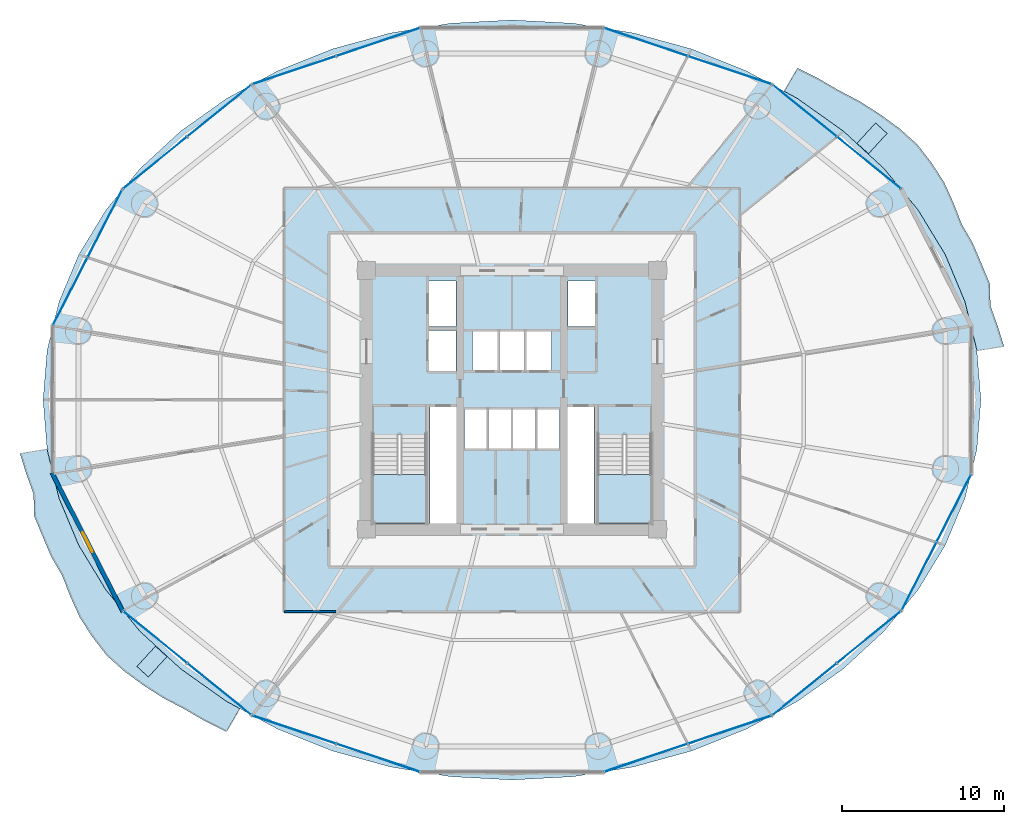
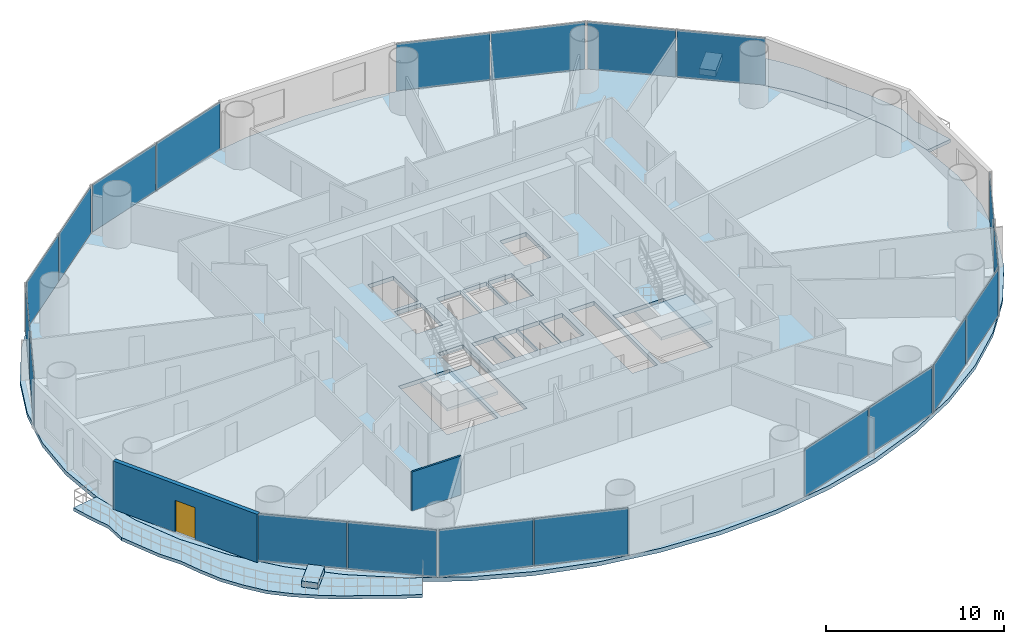
# One storey, part 20 of 28: 20 plates, 7 slabs, 2 walls, 1 door, 1 opening, 12 elements without a shape of their own.
"""IFC4 building model written with IfcOpenShell, lengths in metres."""

import ifcopenshell
import ifcopenshell.guid

model = None  # the IFC model being written
_history = None  # IfcOwnerHistory: only IFC2X3 demands one
_inside = {}  # id of a spatial element -> (the spatial element, [elements in it])
_under = {}  # id of a project, library or spatial element -> (it, [spatial elements below it])
_declared = {}  # id of a project -> (the project, [libraries it declares])
_typed = {}  # id of a type object -> (the type object, [elements of that type])
_made_of = {}  # id of a material, layer set ... -> (it, [elements and type objects made of it])


def new_model(schema):
    """Start an empty IFC model of exactly this schema.

    Asked for "IFC4X3", IfcOpenShell would pick the latest addendum, in which some entities
    have other attributes; the version numbers below select the first issue.
    IFC2X3 requires an IfcOwnerHistory on every rooted entity: one is made here for all.
    """
    global model, _history
    if schema == "IFC4X3":
        model = ifcopenshell.file(schema_version=(4, 3, 0, 0))
    else:
        model = ifcopenshell.file(schema=schema)
    _inside.clear()
    _under.clear()
    _declared.clear()
    _typed.clear()
    _made_of.clear()
    _history = None
    if model.schema == "IFC2X3":
        org = make("IfcOrganization", Name="unknown")
        user = make(
            "IfcPersonAndOrganization",
            ThePerson=make("IfcPerson", FamilyName="unknown"),
            TheOrganization=org,
        )
        app = make(
            "IfcApplication",
            ApplicationDeveloper=org,
            Version="unknown",
            ApplicationFullName="unknown",
            ApplicationIdentifier="unknown",
        )
        _history = make(
            "IfcOwnerHistory",
            OwningUser=user,
            OwningApplication=app,
            ChangeAction="ADDED",
            CreationDate=0,
        )
    return model


def make(cls, **values):
    """One entity of the class cls with the attributes given. An attribute that is None is left unset."""
    return model.create_entity(
        cls, **{name: value for name, value in values.items() if value is not None}
    )


def rooted(cls, **values):
    """An entity with a GlobalId (a new one), such as an element, a storey or a relation."""
    return make(cls, GlobalId=ifcopenshell.guid.new(), OwnerHistory=_history, **values)


def si_unit(unit_type, name, prefix=None):
    """IfcSIUnit, for example si_unit("LENGTHUNIT", "METRE", prefix="MILLI")."""
    return make("IfcSIUnit", UnitType=unit_type, Prefix=prefix, Name=name)


def assignment(units):
    """IfcUnitAssignment: the units of a project."""
    return None if units is None else make("IfcUnitAssignment", Units=units)


def point(xyz):
    """IfcCartesianPoint."""
    return None if xyz is None else make("IfcCartesianPoint", Coordinates=xyz)


def direction(xyz):
    """IfcDirection."""
    return None if xyz is None else make("IfcDirection", DirectionRatios=xyz)


def frame(location, z_axis=None, x_axis=None):
    """IfcAxis2Placement3D, a coordinate frame: its origin and axes. An axis left out is left unset."""
    return make(
        "IfcAxis2Placement3D",
        Location=point(location),
        Axis=direction(z_axis),
        RefDirection=direction(x_axis),
    )


def frame_2d(location, x_axis=None):
    """IfcAxis2Placement2D, a coordinate frame in the plane: its origin and x axis."""
    return make(
        "IfcAxis2Placement2D", Location=point(location), RefDirection=direction(x_axis)
    )


def origin():
    """The frame at (0, 0, 0) with its axes left unset."""
    return frame((0.0, 0.0, 0.0))


def origin_2d():
    """The frame at (0, 0) in the plane with its x axis left unset."""
    return frame_2d((0.0, 0.0))


def place(relative_to, where):
    """IfcLocalPlacement: puts the frame where relative to a parent placement (None: the world)."""
    return make(
        "IfcLocalPlacement", PlacementRelTo=relative_to, RelativePlacement=where
    )


def context(
    kind, dimensions, precision=None, world=None, true_north=None, identifier=None
):
    """IfcGeometricRepresentationContext, for example the 3D "Model" context."""
    return make(
        "IfcGeometricRepresentationContext",
        ContextIdentifier=identifier,
        ContextType=kind,
        CoordinateSpaceDimension=dimensions,
        Precision=precision,
        WorldCoordinateSystem=world,
        TrueNorth=true_north,
    )


def subcontext(parent, identifier, kind, view, scale=None):
    """IfcGeometricRepresentationSubContext, for example "Body" below "Model"."""
    return make(
        "IfcGeometricRepresentationSubContext",
        ContextIdentifier=identifier,
        ContextType=kind,
        ParentContext=parent,
        TargetScale=scale,
        TargetView=view,
    )


def project(units=None, contexts=None):
    """IfcProject with its units and contexts."""
    return rooted(
        "IfcProject",
        Name="project",
        RepresentationContexts=contexts,
        UnitsInContext=assignment(units),
    )


def spatial(cls, under=None, at=None, **own):
    """A site, building, storey or space (cls), placed at a placement, below another one or the project."""
    s = rooted(cls, ObjectPlacement=at, **own)
    if under is not None:
        _under.setdefault(under.id(), (under, []))[1].append(s)
    return s


def polyline(points):
    """IfcPolyline through the points."""
    return make("IfcPolyline", Points=[point(p) for p in points])


def profile(cls, at=None, kind="AREA", **sizes):
    """A parametric profile (cls). Its sizes go by their IFC names, for example OverallWidth=200.0."""
    return make(cls, ProfileType=kind, Position=at, **sizes)


def rectangle(**sizes):
    """IfcRectangleProfileDef."""
    return profile("IfcRectangleProfileDef", **sizes)


def outline(outer, holes=None, kind="AREA"):
    """IfcArbitraryClosedProfileDef: a profile drawn as a closed curve; with holes, ...WithVoids."""
    if holes is None:
        return make("IfcArbitraryClosedProfileDef", ProfileType=kind, OuterCurve=outer)
    return make(
        "IfcArbitraryProfileDefWithVoids",
        ProfileType=kind,
        OuterCurve=outer,
        InnerCurves=holes,
    )


def extrude(swept, where, along, depth):
    """IfcExtrudedAreaSolid: the profile swept, set in the frame where, extruded along a direction by depth."""
    return make(
        "IfcExtrudedAreaSolid",
        SweptArea=swept,
        Position=where,
        ExtrudedDirection=direction(along),
        Depth=depth,
    )


def shape(context_of_items, identifier, shape_type, items):
    """IfcShapeRepresentation: the items that make up one representation, for example the "Body"."""
    return make(
        "IfcShapeRepresentation",
        ContextOfItems=context_of_items,
        RepresentationIdentifier=identifier,
        RepresentationType=shape_type,
        Items=items,
    )


def source(mapping_origin, context_of_items, identifier, shape_type, items):
    """IfcRepresentationMap: a shape defined once, which mapped items show again and again."""
    return make(
        "IfcRepresentationMap",
        MappingOrigin=mapping_origin,
        MappedRepresentation=shape(context_of_items, identifier, shape_type, items),
    )


def transform(
    local_origin,
    x_axis=None,
    y_axis=None,
    z_axis=None,
    scale=None,
    scale2=None,
    scale3=None,
    uniform=True,
):
    """IfcCartesianTransformationOperator3D, or its non-uniform kind. x_axis, y_axis, z_axis: its Axis1, 2, 3."""
    if uniform:
        return make(
            "IfcCartesianTransformationOperator3D",
            Axis1=direction(x_axis),
            Axis2=direction(y_axis),
            LocalOrigin=point(local_origin),
            Scale=scale,
            Axis3=direction(z_axis),
        )
    return make(
        "IfcCartesianTransformationOperator3DnonUniform",
        Axis1=direction(x_axis),
        Axis2=direction(y_axis),
        LocalOrigin=point(local_origin),
        Scale=scale,
        Axis3=direction(z_axis),
        Scale2=scale2,
        Scale3=scale3,
    )


def mapped(mapping_source, mapping_target):
    """IfcMappedItem: shows the shape of a source again, moved by a transform."""
    return make(
        "IfcMappedItem", MappingSource=mapping_source, MappingTarget=mapping_target
    )


def material(Name=None, Category=None):
    """IfcMaterial."""
    return make("IfcMaterial", Name=Name, Category=Category)


def layer(
    of_material, thickness, ventilated=None, Name=None, Category=None, Priority=None
):
    """IfcMaterialLayer: one layer of a wall or slab, of a material (None: an air gap)."""
    return make(
        "IfcMaterialLayer",
        Material=of_material,
        LayerThickness=thickness,
        IsVentilated=ventilated,
        Name=Name,
        Category=Category,
        Priority=Priority,
    )


def layer_set(layers, Name=None):
    """IfcMaterialLayerSet."""
    return make("IfcMaterialLayerSet", MaterialLayers=layers, LayerSetName=Name)


def made_of(thing, what):
    """Note that an element or type object is made of a material, layer set ...; save() writes the relation."""
    if what is not None:
        _made_of.setdefault(what.id(), (what, []))[1].append(thing)
    return thing


def type_object(cls, material=None, **own):
    """A type object (cls), such as IfcWallType, which elements share."""
    return made_of(rooted(cls, **own), material)


def element(
    cls,
    number,
    at=None,
    inside=None,
    cuts=None,
    type_object=None,
    material=None,
    context=None,
    identifier="Body",
    shape_type=None,
    held_by="IfcProductDefinitionShape",
    body=None,
    shapes=None,
    **own,
):
    """One element of the class cls, such as IfcWall. Its Tag is "e" and its number.

    at: its placement. inside: the storey or other place that contains it. cuts: it is an
    opening in that element (IfcRelVoidsElement). A single representation is given by context,
    identifier, shape_type and body (its items); several are given by shapes. held_by: the class
    of the entity that holds the representations. save() writes the other relations.
    """
    e = rooted(cls, Tag="e%d" % number, ObjectPlacement=at, **own)
    if body is not None:
        shapes = [shape(context, identifier, shape_type, body)]
    if shapes is not None:
        e.Representation = make(held_by, Representations=shapes)
    if inside is not None:
        _inside.setdefault(inside.id(), (inside, []))[1].append(e)
    if cuts is not None:
        rooted(
            "IfcRelVoidsElement", RelatingBuildingElement=cuts, RelatedOpeningElement=e
        )
    if type_object is not None:
        _typed.setdefault(type_object.id(), (type_object, []))[1].append(e)
    return made_of(e, material)


def fill(opening, filler):
    """IfcRelFillsElement: the door or window that sits in an opening."""
    return rooted(
        "IfcRelFillsElement",
        RelatingOpeningElement=opening,
        RelatedBuildingElement=filler,
    )


def aggregate(whole, parts):
    """IfcRelAggregates: a whole, such as a stair, and the parts it consists of."""
    return rooted("IfcRelAggregates", RelatingObject=whole, RelatedObjects=parts)


def save(model, path):
    """Write the relations noted so far, then the file.

    IfcRelAggregates (storeys below a building ...), IfcRelContainedInSpatialStructure (elements
    in a storey), IfcRelDefinesByType, IfcRelAssociatesMaterial and IfcRelDeclares: one each for
    every whole, place, type object, material and project.
    """
    for whole, parts in _under.values():
        aggregate(whole, parts)
    for where, things in _inside.values():
        rooted(
            "IfcRelContainedInSpatialStructure",
            RelatedElements=things,
            RelatingStructure=where,
        )
    for kind, things in _typed.values():
        rooted("IfcRelDefinesByType", RelatedObjects=things, RelatingType=kind)
    for what, things in _made_of.values():
        rooted("IfcRelAssociatesMaterial", RelatedObjects=things, RelatingMaterial=what)
    for by, libraries in _declared.values():
        rooted("IfcRelDeclares", RelatingContext=by, RelatedDefinitions=libraries)
    model.write(path)


model = new_model("IFC4")

# Units and contexts
model_context = context("Model", 3, precision=1e-05, world=origin(), true_north=direction((-0.2419218956, 0.970295726276)))
body_context = subcontext(model_context, "Body", "Model", "MODEL_VIEW")
ifc_project = project(units=[si_unit("LENGTHUNIT", "METRE"), si_unit("AREAUNIT", "SQUARE_METRE"), si_unit("VOLUMEUNIT", "CUBIC_METRE"), si_unit("PLANEANGLEUNIT", "RADIAN"), si_unit("MASSUNIT", "GRAM", prefix="KILO")], contexts=[model_context])

# Site, building, storey
site_placement = place(None, origin())
site = spatial("IfcSite", under=ifc_project, at=site_placement, CompositionType="ELEMENT")
building_placement = place(site_placement, origin())
building = spatial("IfcBuilding", under=site, at=building_placement, Name="Cobrevalo Terracotta Tower", CompositionType="ELEMENT")
storey_placement = place(building_placement, frame((0.0, 0.0, 34.800048828125)))
storey = spatial("IfcBuildingStorey", under=building, at=storey_placement, Name="L08", CompositionType="ELEMENT", Elevation=34.800048828125)

# Stair, slab
ifc_material_1 = material(Name="Concrete C50", Category="concrete")
stair_type = type_object("IfcStairType", Name="Core protected escape dogleg stair 1600", PredefinedType="HALF_TURN_STAIR", material=ifc_material_1)
stair_1_placement = place(storey_placement, origin())
stair_1 = element("IfcStair", 1, at=stair_1_placement, inside=storey, type_object=stair_type, Name="L08 Protected exit stair ST-1", PredefinedType="HALF_TURN_STAIR")
ifc_layer_1 = layer(ifc_material_1, 0.199951171875)
ifc_layer_set_1 = layer_set([ifc_layer_1], Name="Concrete C50")
slab_type_1 = type_object("IfcSlabType", Name="Reinforced Concrete Stair Landing 200", PredefinedType="LANDING", material=ifc_layer_set_1)
slab_1_placement = place(storey_placement, frame((0.0, 0.0, 1.599853515625)))
slab_1 = element("IfcSlab", 2, at=slab_1_placement, type_object=slab_type_1, Name="ST-1 landing 1", PredefinedType="LANDING", context=body_context, shape_type="SweptSolid", body=[
    extrude(outline(polyline([(29.375, 22.179931640625), (29.375, 19.175048828125), (32.695068359375, 19.175048828125), (32.695068359375, 22.179931640625), (29.375, 22.179931640625)])), origin(), (0.0, 0.0, 1.0), 0.2001953125),
])
aggregate(stair_1, [slab_1])

stair_2_placement = place(storey_placement, origin())
stair_2 = element("IfcStair", 3, at=stair_2_placement, inside=storey, type_object=stair_type, Name="L08 Protected exit stair ST-2", PredefinedType="HALF_TURN_STAIR")
slab_2_placement = place(storey_placement, frame((0.0, 0.0, 1.599853515625)))
slab_2 = element("IfcSlab", 4, at=slab_2_placement, type_object=slab_type_1, Name="ST-2 landing 1", PredefinedType="LANDING", context=body_context, shape_type="SweptSolid", body=[
    extrude(outline(polyline([(43.304931640625, 22.179931640625), (43.304931640625, 19.175048828125), (46.625, 19.175048828125), (46.625, 22.179931640625), (43.304931640625, 22.179931640625)])), origin(), (0.0, 0.0, 1.0), 0.2001953125),
])
aggregate(stair_2, [slab_2])

# Slabs
ifc_material_2 = material(Name="Concrete C45", Category="concrete")
ifc_layer_2 = layer(ifc_material_2, 0.219970703125)
ifc_layer_set_2 = layer_set([ifc_layer_2], Name="Concrete C45")
slab_type_2 = type_object("IfcSlabType", Name="Spiralling cantilevered balcony lobe slab 220 mm", PredefinedType="FLOOR", material=ifc_layer_set_2)
slab_3_placement = place(storey_placement, frame((0.0, 0.0, -0.219970703125)))
element("IfcSlab", 5, at=slab_3_placement, inside=storey, type_object=slab_type_2, Name="L08 spiralling arc balcony slab lobe 1", PredefinedType="FLOOR", context=body_context, shape_type="SweptSolid", body=[
    extrude(outline(polyline([(68.42919921875, 30.11279296875), (68.036865234375, 31.378662109375), (67.590087890625, 32.6171875), (67.549072265625, 33.99462890625), (67.030517578125, 35.238525390625), (66.506591796875, 36.478271484375), (65.821044921875, 37.66064453125), (65.31201171875, 38.96435546875), (64.727783203125, 40.2587890625), (63.947998046875, 41.46435546875), (63.0703125, 42.600341796875), (61.984619140625, 43.57421875), (60.802001953125, 44.44189453125), (59.57080078125, 45.230712890625), (58.25439453125, 45.923583984375), (56.990478515625, 46.6591796875), (55.6689453125, 47.319580078125), (54.839111328125, 45.88720703125), (55.6552734375, 45.4453125), (58.507568359375, 43.41845703125), (61.0087890625, 41.107177734375), (63.116455078125, 38.551025390625), (64.79443359375, 35.7939453125), (66.013671875, 32.8828125), (66.75390625, 29.86767578125), (66.755859375, 29.84326171875), (68.42919921875, 30.11279296875)])), origin(), (0.0, 0.0, 1.0), 0.219970703125),
])
slab_4_placement = place(storey_placement, frame((0.0, 0.0, -0.219970703125)))
element("IfcSlab", 6, at=slab_4_placement, inside=storey, type_object=slab_type_2, Name="L08 spiralling arc balcony slab lobe 2", PredefinedType="FLOOR", context=body_context, shape_type="SweptSolid", body=[
    extrude(outline(polyline([(7.57080078125, 23.487060546875), (7.963134765625, 22.221435546875), (8.409912109375, 20.982666015625), (8.450927734375, 19.60546875), (8.969482421875, 18.361572265625), (9.493408203125, 17.121826171875), (10.178955078125, 15.939208984375), (10.68798828125, 14.635498046875), (11.272216796875, 13.341064453125), (12.052001953125, 12.135498046875), (12.9296875, 10.999755859375), (14.015380859375, 10.02587890625), (15.197998046875, 9.158203125), (16.42919921875, 8.369384765625), (17.74560546875, 7.67626953125), (19.009521484375, 6.94091796875), (20.3310546875, 6.280517578125), (21.160888671875, 7.712646484375), (20.3447265625, 8.154541015625), (17.492431640625, 10.181640625), (14.9912109375, 12.492919921875), (12.883544921875, 15.049072265625), (11.20556640625, 17.80615234375), (9.986328125, 20.71728515625), (9.24609375, 23.732421875), (9.244140625, 23.7568359375), (7.57080078125, 23.487060546875)])), origin(), (0.0, 0.0, 1.0), 0.219970703125),
])
ifc_material_3 = material(Name="Precast concrete C45", Category="concrete")
ifc_layer_3 = layer(ifc_material_3, 0.419921875)
ifc_layer_set_3 = layer_set([ifc_layer_3], Name="Precast concrete C45")
slab_type_3 = type_object("IfcSlabType", Name="Structural tree planter trough base 420 mm", PredefinedType="USERDEFINED", material=ifc_layer_set_3)
slab_5_placement = place(storey_placement, origin())
element("IfcSlab", 7, at=slab_5_placement, inside=storey, type_object=slab_type_3, Name="L08 structural tree planter trough 1", ObjectType="PLANTER", PredefinedType="USERDEFINED", context=body_context, shape_type="SweptSolid", body=[
    extrude(outline(polyline([(60.048583984375, 42.030029296875), (61.1962890625, 43.283935546875), (60.48828125, 43.93212890625), (59.34033203125, 42.67822265625), (60.048583984375, 42.030029296875)])), origin(), (0.0, 0.0, 1.0), 0.419921875),
])
slab_6_placement = place(storey_placement, origin())
element("IfcSlab", 8, at=slab_6_placement, inside=storey, type_object=slab_type_3, Name="L08 structural tree planter trough 2", ObjectType="PLANTER", PredefinedType="USERDEFINED", context=body_context, shape_type="SweptSolid", body=[
    extrude(outline(polyline([(15.951416015625, 11.570068359375), (14.8037109375, 10.316162109375), (15.51171875, 9.66796875), (16.65966796875, 10.921875), (15.951416015625, 11.570068359375)])), origin(), (0.0, 0.0, 1.0), 0.419921875),
])
ifc_layer_4 = layer(ifc_material_1, 0.280029296875)
ifc_layer_set_4 = layer_set([ifc_layer_4], Name="Concrete C50")
slab_type_4 = type_object("IfcSlabType", Name="Zone Z1 elliptical floor plate 280 mm", PredefinedType="FLOOR", material=ifc_layer_set_4)
slab_7_placement = place(storey_placement, frame((0.0, 0.0, -0.280029296875)))
element("IfcSlab", 9, at=slab_7_placement, inside=storey, type_object=slab_type_4, Name="L08 indoor elliptical floor slab", PredefinedType="FLOOR", context=body_context, shape_type="SweptSolid", body=[
    extrude(outline(polyline([(66.751953125, 23.732666015625), (66.011962890625, 20.7177734375), (64.79248046875, 17.806884765625), (63.11474609375, 15.050048828125), (61.00732421875, 12.494140625), (58.506103515625, 10.18310546875), (55.654052734375, 8.15625), (52.5, 6.448486328125), (49.097900390625, 5.0888671875), (45.505859375, 4.100830078125), (41.78515625, 3.5009765625), (38.0, 3.300048828125), (34.21484375, 3.5009765625), (30.494140625, 4.100830078125), (26.902099609375, 5.0888671875), (23.5, 6.448486328125), (20.345947265625, 8.15625), (17.493896484375, 10.18310546875), (14.99267578125, 12.494140625), (12.88525390625, 15.050048828125), (11.20751953125, 17.806884765625), (9.988037109375, 20.7177734375), (9.248046875, 23.732666015625), (9.0, 26.800048828125), (9.248046875, 29.867431640625), (9.988037109375, 32.88232421875), (11.20751953125, 35.79296875), (12.88525390625, 38.550048828125), (14.99267578125, 41.10595703125), (17.493896484375, 43.4169921875), (20.345947265625, 45.44384765625), (23.5, 47.151611328125), (26.902099609375, 48.51123046875), (30.494140625, 49.499267578125), (34.21484375, 50.098876953125), (38.0, 50.300048828125), (41.78515625, 50.098876953125), (45.505859375, 49.499267578125), (49.097900390625, 48.51123046875), (52.5, 47.151611328125), (55.654052734375, 45.44384765625), (58.506103515625, 43.4169921875), (61.00732421875, 41.10595703125), (63.11474609375, 38.550048828125), (64.79248046875, 35.79296875), (66.011962890625, 32.88232421875), (66.751953125, 29.867431640625), (67.0, 26.800048828125), (66.751953125, 23.732666015625)]), holes=[polyline([(32.695068359375, 19.175048828125), (32.695068359375, 24.659912109375), (29.375, 24.659912109375), (29.375, 19.175048828125), (32.695068359375, 19.175048828125)]), polyline([(34.574951171875, 19.175048828125), (34.574951171875, 26.360107421875), (32.919921875, 26.360107421875), (32.919921875, 19.175048828125), (34.574951171875, 19.175048828125)]), polyline([(36.47998046875, 23.800048828125), (36.47998046875, 26.25), (35.050048828125, 26.25), (35.050048828125, 23.800048828125), (36.47998046875, 23.800048828125)]), polyline([(37.9599609375, 23.800048828125), (37.9599609375, 26.25), (36.530029296875, 26.25), (36.530029296875, 23.800048828125), (37.9599609375, 23.800048828125)]), polyline([(37.1201171875, 28.60009765625), (37.1201171875, 31.050048828125), (35.550048828125, 31.050048828125), (35.550048828125, 28.60009765625), (37.1201171875, 28.60009765625)]), polyline([(34.550048828125, 28.60009765625), (34.550048828125, 31.10009765625), (32.85009765625, 31.10009765625), (32.85009765625, 28.60009765625), (34.550048828125, 28.60009765625)]), polyline([(34.550048828125, 31.35009765625), (34.550048828125, 34.14990234375), (32.85009765625, 34.14990234375), (32.85009765625, 31.35009765625), (34.550048828125, 31.35009765625)]), polyline([(46.625, 19.175048828125), (46.625, 24.659912109375), (43.304931640625, 24.659912109375), (43.304931640625, 19.175048828125), (46.625, 19.175048828125)]), polyline([(43.080078125, 19.175048828125), (43.080078125, 26.360107421875), (41.425048828125, 26.360107421875), (41.425048828125, 19.175048828125), (43.080078125, 19.175048828125)]), polyline([(39.469970703125, 23.800048828125), (39.469970703125, 26.25), (38.0400390625, 26.25), (38.0400390625, 23.800048828125), (39.469970703125, 23.800048828125)]), polyline([(40.949951171875, 23.800048828125), (40.949951171875, 26.25), (39.52001953125, 26.25), (39.52001953125, 23.800048828125), (40.949951171875, 23.800048828125)]), polyline([(38.780029296875, 28.60009765625), (38.780029296875, 31.050048828125), (37.219970703125, 31.050048828125), (37.219970703125, 28.60009765625), (38.780029296875, 28.60009765625)]), polyline([(40.449951171875, 28.60009765625), (40.449951171875, 31.050048828125), (38.8798828125, 31.050048828125), (38.8798828125, 28.60009765625), (40.449951171875, 28.60009765625)]), polyline([(43.14990234375, 31.35009765625), (43.14990234375, 34.14990234375), (41.449951171875, 34.14990234375), (41.449951171875, 31.35009765625), (43.14990234375, 31.35009765625)])]), origin(), (0.0, 0.0, 1.0), 0.280029296875),
])

# Curtain wall, plates
ifc_material_4 = material(Name="Anodized aluminium", Category="aluminium")
curtain_wall_type = type_object("IfcCurtainWallType", Name="Lower-tower unitised acoustic low-E curtain wall CW-U1", PredefinedType="NOTDEFINED", material=ifc_material_4)
curtain_wall_1_placement = place(storey_placement, origin())
curtain_wall_1 = element("IfcCurtainWall", 10, at=curtain_wall_1_placement, inside=storey, type_object=curtain_wall_type, Name="L08 curtain wall CW-L08-S02", PredefinedType="NOTDEFINED")
ifc_material_5 = material(Name="Solar-control low-E double glazing", Category="glass")
ifc_layer_5 = layer(ifc_material_5, 0.028076171875)
ifc_layer_set_5 = layer_set([ifc_layer_5], Name="Solar-control low-E double glazing")
plate_type = type_object("IfcPlateType", Name="Tower solar-control low-E vision glass panel 28 mm", PredefinedType="CURTAIN_PANEL", material=ifc_layer_set_5)
shared_shape_1 = source(origin(), body_context, "Body", "SweptSolid", [
    extrude(rectangle(XDim=5.023193359375, YDim=0.035888671875, at=origin_2d()), origin(), (0.0, 0.0, 1.0), 3.239990234375),
])
plate_1_placement = place(storey_placement, frame((60.073974609375, 41.470703125, 0.0400390625), z_axis=(0.0, 0.0, 1.0), x_axis=(-0.777007547884, 0.629491279154, 0.0)))
plate_1 = element("IfcPlate", 11, at=plate_1_placement, type_object=plate_type, Name="CW-L08-S02 glazing panel B01", PredefinedType="CURTAIN_PANEL", context=body_context, shape_type="MappedRepresentation", body=[
    mapped(shared_shape_1, transform((0.0, 0.0, 0.0), scale=1.0)),
])
plate_2_placement = place(storey_placement, frame((56.108642578125, 44.68310546875, 0.0400390625), z_axis=(0.0, 0.0, 1.0), x_axis=(-0.777007547884, 0.629491279154, 0.0)))
plate_2 = element("IfcPlate", 12, at=plate_2_placement, type_object=plate_type, Name="CW-L08-S02 glazing panel B02", PredefinedType="CURTAIN_PANEL", context=body_context, shape_type="MappedRepresentation", body=[
    mapped(shared_shape_1, transform((0.0, 0.0, 0.0), scale=1.0)),
])
aggregate(curtain_wall_1, [plate_1, plate_2])

curtain_wall_2_placement = place(storey_placement, origin())
curtain_wall_2 = element("IfcCurtainWall", 13, at=curtain_wall_2_placement, inside=storey, type_object=curtain_wall_type, Name="L08 curtain wall CW-L08-S06", PredefinedType="NOTDEFINED")
plate_3_placement = place(storey_placement, frame((19.891357421875, 44.68310546875, 0.0400390625), z_axis=(0.0, 0.0, 1.0), x_axis=(-0.777007547884, -0.629491279154, 0.0)))
plate_3 = element("IfcPlate", 14, at=plate_3_placement, type_object=plate_type, Name="CW-L08-S06 glazing panel B01", PredefinedType="CURTAIN_PANEL", context=body_context, shape_type="MappedRepresentation", body=[
    mapped(shared_shape_1, transform((0.0, 0.0, 0.0), scale=1.0)),
])
plate_4_placement = place(storey_placement, frame((15.926025390625, 41.470703125, 0.0400390625), z_axis=(0.0, 0.0, 1.0), x_axis=(-0.777007547884, -0.629491279154, 0.0)))
plate_4 = element("IfcPlate", 15, at=plate_4_placement, type_object=plate_type, Name="CW-L08-S06 glazing panel B02", PredefinedType="CURTAIN_PANEL", context=body_context, shape_type="MappedRepresentation", body=[
    mapped(shared_shape_1, transform((0.0, 0.0, 0.0), scale=1.0)),
])
aggregate(curtain_wall_2, [plate_3, plate_4])

curtain_wall_3_placement = place(storey_placement, origin())
curtain_wall_3 = element("IfcCurtainWall", 16, at=curtain_wall_3_placement, inside=storey, type_object=curtain_wall_type, Name="L08 curtain wall CW-L08-S10", PredefinedType="NOTDEFINED")
plate_5_placement = place(storey_placement, frame((15.926025390625, 12.12939453125, 0.0400390625), z_axis=(0.0, 0.0, 1.0), x_axis=(0.777007547884, -0.629491279154, 0.0)))
plate_5 = element("IfcPlate", 17, at=plate_5_placement, type_object=plate_type, Name="CW-L08-S10 glazing panel B01", PredefinedType="CURTAIN_PANEL", context=body_context, shape_type="MappedRepresentation", body=[
    mapped(shared_shape_1, transform((0.0, 0.0, 0.0), scale=1.0)),
])
plate_6_placement = place(storey_placement, frame((19.891357421875, 8.916748046875, 0.0400390625), z_axis=(0.0, 0.0, 1.0), x_axis=(0.777007547884, -0.629491279154, 0.0)))
plate_6 = element("IfcPlate", 18, at=plate_6_placement, type_object=plate_type, Name="CW-L08-S10 glazing panel B02", PredefinedType="CURTAIN_PANEL", context=body_context, shape_type="MappedRepresentation", body=[
    mapped(shared_shape_1, transform((0.0, 0.0, 0.0), scale=1.0)),
])
aggregate(curtain_wall_3, [plate_5, plate_6])

curtain_wall_4_placement = place(storey_placement, origin())
curtain_wall_4 = element("IfcCurtainWall", 19, at=curtain_wall_4_placement, inside=storey, type_object=curtain_wall_type, Name="L08 curtain wall CW-L08-S14", PredefinedType="NOTDEFINED")
plate_7_placement = place(storey_placement, frame((56.108642578125, 8.916748046875, 0.0400390625), z_axis=(0.0, 0.0, 1.0), x_axis=(0.777007547884, 0.629491279154, 0.0)))
plate_7 = element("IfcPlate", 20, at=plate_7_placement, type_object=plate_type, Name="CW-L08-S14 glazing panel B01", PredefinedType="CURTAIN_PANEL", context=body_context, shape_type="MappedRepresentation", body=[
    mapped(shared_shape_1, transform((0.0, 0.0, 0.0), scale=1.0)),
])
plate_8_placement = place(storey_placement, frame((60.073974609375, 12.12939453125, 0.0400390625), z_axis=(0.0, 0.0, 1.0), x_axis=(0.777007547884, 0.629491279154, 0.0)))
plate_8 = element("IfcPlate", 21, at=plate_8_placement, type_object=plate_type, Name="CW-L08-S14 glazing panel B02", PredefinedType="CURTAIN_PANEL", context=body_context, shape_type="MappedRepresentation", body=[
    mapped(shared_shape_1, transform((0.0, 0.0, 0.0), scale=1.0)),
])
aggregate(curtain_wall_4, [plate_7, plate_8])

curtain_wall_5_placement = place(storey_placement, origin())
curtain_wall_5 = element("IfcCurtainWall", 22, at=curtain_wall_5_placement, inside=storey, type_object=curtain_wall_type, Name="L08 curtain wall CW-L08-S03", PredefinedType="NOTDEFINED")
shared_shape_2 = source(origin(), body_context, "Body", "SweptSolid", [
    extrude(rectangle(XDim=5.3876953125, YDim=0.035888671875, at=origin_2d()), origin(), (0.0, 0.0, 1.0), 3.239990234375),
])
plate_9_placement = place(storey_placement, frame((51.465087890625, 47.197021484375, 0.0400390625), z_axis=(0.0, 0.0, 1.0), x_axis=(-0.948044172593, 0.318138722592, 0.0)))
plate_9 = element("IfcPlate", 23, at=plate_9_placement, type_object=plate_type, Name="CW-L08-S03 glazing panel B01", PredefinedType="CURTAIN_PANEL", context=body_context, shape_type="MappedRepresentation", body=[
    mapped(shared_shape_2, transform((0.0, 0.0, 0.0), scale=1.0)),
])
plate_10_placement = place(storey_placement, frame((46.281494140625, 48.9365234375, 0.0400390625), z_axis=(0.0, 0.0, 1.0), x_axis=(-0.948044172593, 0.318138722592, 0.0)))
plate_10 = element("IfcPlate", 24, at=plate_10_placement, type_object=plate_type, Name="CW-L08-S03 glazing panel B02", PredefinedType="CURTAIN_PANEL", context=body_context, shape_type="MappedRepresentation", body=[
    mapped(shared_shape_2, transform((0.0, 0.0, 0.0), scale=1.0)),
])
aggregate(curtain_wall_5, [plate_9, plate_10])

curtain_wall_6_placement = place(storey_placement, origin())
curtain_wall_6 = element("IfcCurtainWall", 25, at=curtain_wall_6_placement, inside=storey, type_object=curtain_wall_type, Name="L08 curtain wall CW-L08-S05", PredefinedType="NOTDEFINED")
plate_11_placement = place(storey_placement, frame((29.718505859375, 48.9365234375, 0.0400390625), z_axis=(0.0, 0.0, 1.0), x_axis=(-0.948044172593, -0.318138722592, 0.0)))
plate_11 = element("IfcPlate", 26, at=plate_11_placement, type_object=plate_type, Name="CW-L08-S05 glazing panel B01", PredefinedType="CURTAIN_PANEL", context=body_context, shape_type="MappedRepresentation", body=[
    mapped(shared_shape_2, transform((0.0, 0.0, 0.0), scale=1.0)),
])
plate_12_placement = place(storey_placement, frame((24.534912109375, 47.197021484375, 0.0400390625), z_axis=(0.0, 0.0, 1.0), x_axis=(-0.948044172593, -0.318138722592, 0.0)))
plate_12 = element("IfcPlate", 27, at=plate_12_placement, type_object=plate_type, Name="CW-L08-S05 glazing panel B02", PredefinedType="CURTAIN_PANEL", context=body_context, shape_type="MappedRepresentation", body=[
    mapped(shared_shape_2, transform((0.0, 0.0, 0.0), scale=1.0)),
])
aggregate(curtain_wall_6, [plate_11, plate_12])

curtain_wall_7_placement = place(storey_placement, origin())
curtain_wall_7 = element("IfcCurtainWall", 28, at=curtain_wall_7_placement, inside=storey, type_object=curtain_wall_type, Name="L08 curtain wall CW-L08-S11", PredefinedType="NOTDEFINED")
plate_13_placement = place(storey_placement, frame((24.534912109375, 6.40283203125, 0.0400390625), z_axis=(0.0, 0.0, 1.0), x_axis=(0.948044172593, -0.318138722592, 0.0)))
plate_13 = element("IfcPlate", 29, at=plate_13_placement, type_object=plate_type, Name="CW-L08-S11 glazing panel B01", PredefinedType="CURTAIN_PANEL", context=body_context, shape_type="MappedRepresentation", body=[
    mapped(shared_shape_2, transform((0.0, 0.0, 0.0), scale=1.0)),
])
plate_14_placement = place(storey_placement, frame((29.718505859375, 4.663330078125, 0.0400390625), z_axis=(0.0, 0.0, 1.0), x_axis=(0.948044172593, -0.318138722592, 0.0)))
plate_14 = element("IfcPlate", 30, at=plate_14_placement, type_object=plate_type, Name="CW-L08-S11 glazing panel B02", PredefinedType="CURTAIN_PANEL", context=body_context, shape_type="MappedRepresentation", body=[
    mapped(shared_shape_2, transform((0.0, 0.0, 0.0), scale=1.0)),
])
aggregate(curtain_wall_7, [plate_13, plate_14])

curtain_wall_8_placement = place(storey_placement, origin())
curtain_wall_8 = element("IfcCurtainWall", 31, at=curtain_wall_8_placement, inside=storey, type_object=curtain_wall_type, Name="L08 curtain wall CW-L08-S13", PredefinedType="NOTDEFINED")
plate_15_placement = place(storey_placement, frame((46.281494140625, 4.663330078125, 0.0400390625), z_axis=(0.0, 0.0, 1.0), x_axis=(0.948044172593, 0.318138722592, 0.0)))
plate_15 = element("IfcPlate", 32, at=plate_15_placement, type_object=plate_type, Name="CW-L08-S13 glazing panel B01", PredefinedType="CURTAIN_PANEL", context=body_context, shape_type="MappedRepresentation", body=[
    mapped(shared_shape_2, transform((0.0, 0.0, 0.0), scale=1.0)),
])
plate_16_placement = place(storey_placement, frame((51.465087890625, 6.40283203125, 0.0400390625), z_axis=(0.0, 0.0, 1.0), x_axis=(0.948044172593, 0.318138722592, 0.0)))
plate_16 = element("IfcPlate", 33, at=plate_16_placement, type_object=plate_type, Name="CW-L08-S13 glazing panel B02", PredefinedType="CURTAIN_PANEL", context=body_context, shape_type="MappedRepresentation", body=[
    mapped(shared_shape_2, transform((0.0, 0.0, 0.0), scale=1.0)),
])
aggregate(curtain_wall_8, [plate_15, plate_16])

curtain_wall_9_placement = place(storey_placement, origin())
curtain_wall_9 = element("IfcCurtainWall", 34, at=curtain_wall_9_placement, inside=storey, type_object=curtain_wall_type, Name="L08 curtain wall CW-L08-S07", PredefinedType="NOTDEFINED")
shared_shape_3 = source(origin(), body_context, "Body", "SweptSolid", [
    extrude(rectangle(XDim=4.631103515625, YDim=0.035888671875, at=origin_2d()), origin(), (0.0, 0.0, 1.0), 3.239990234375),
])
plate_17_placement = place(storey_placement, frame((12.82177734375, 37.706298828125, 0.0400390625), z_axis=(0.0, 0.0, 1.0), x_axis=(-0.45523102861, -0.890373354605, 0.0)))
plate_17 = element("IfcPlate", 35, at=plate_17_placement, type_object=plate_type, Name="CW-L08-S07 glazing panel B01", PredefinedType="CURTAIN_PANEL", context=body_context, shape_type="MappedRepresentation", body=[
    mapped(shared_shape_3, transform((0.0, 0.0, 0.0), scale=1.0)),
])
plate_18_placement = place(storey_placement, frame((10.67724609375, 33.51171875, 0.0400390625), z_axis=(0.0, 0.0, 1.0), x_axis=(-0.45523102861, -0.890373354605, 0.0)))
plate_18 = element("IfcPlate", 36, at=plate_18_placement, type_object=plate_type, Name="CW-L08-S07 glazing panel B02", PredefinedType="CURTAIN_PANEL", context=body_context, shape_type="MappedRepresentation", body=[
    mapped(shared_shape_3, transform((0.0, 0.0, 0.0), scale=1.0)),
])
aggregate(curtain_wall_9, [plate_17, plate_18])

curtain_wall_10_placement = place(storey_placement, origin())
curtain_wall_10 = element("IfcCurtainWall", 37, at=curtain_wall_10_placement, inside=storey, type_object=curtain_wall_type, Name="L08 curtain wall CW-L08-S15", PredefinedType="NOTDEFINED")
plate_19_placement = place(storey_placement, frame((63.17822265625, 15.893798828125, 0.0400390625), z_axis=(0.0, 0.0, 1.0), x_axis=(0.45523102861, 0.890373354605, 0.0)))
plate_19 = element("IfcPlate", 38, at=plate_19_placement, type_object=plate_type, Name="CW-L08-S15 glazing panel B01", PredefinedType="CURTAIN_PANEL", context=body_context, shape_type="MappedRepresentation", body=[
    mapped(shared_shape_3, transform((0.0, 0.0, 0.0), scale=1.0)),
])
plate_20_placement = place(storey_placement, frame((65.32275390625, 20.08837890625, 0.0400390625), z_axis=(0.0, 0.0, 1.0), x_axis=(0.45523102861, 0.890373354605, 0.0)))
plate_20 = element("IfcPlate", 39, at=plate_20_placement, type_object=plate_type, Name="CW-L08-S15 glazing panel B02", PredefinedType="CURTAIN_PANEL", context=body_context, shape_type="MappedRepresentation", body=[
    mapped(shared_shape_3, transform((0.0, 0.0, 0.0), scale=1.0)),
])
aggregate(curtain_wall_10, [plate_19, plate_20])

# Wall, opening, door
ifc_material_6 = material(Name="Autoclaved aerated concrete block", Category="concrete")
ifc_layer_6 = layer(ifc_material_6, 0.260009765625)
ifc_layer_set_6 = layer_set([ifc_layer_6], Name="Autoclaved aerated concrete block")
wall_type_1 = type_object("IfcWallType", Name="Recessed balcony loggia insulated exterior wall 260 mm", PredefinedType="SOLIDWALL", material=ifc_layer_set_6)
wall_1_placement = place(storey_placement, frame((9.55029296875, 22.29248046875, 0.0), z_axis=(0.0, 0.0, 1.0), x_axis=(0.455220575541, -0.890378698984, 0.0)))
wall_1 = element("IfcWall", 40, at=wall_1_placement, inside=storey, type_object=wall_type_1, Name="L08 balcony loggia wall S09", PredefinedType="SOLIDWALL", context=body_context, shape_type="SweptSolid", body=[
    extrude(rectangle(XDim=9.662109375, YDim=0.260009765625, at=frame_2d((4.8310546875, 0.0))), origin(), (0.0, 0.0, 1.0), 3.320068359375),
])
opening_placement = place(wall_1_placement, frame((4.156005859375, 0.0, 0.0)))
opening = element("IfcOpeningElement", 41, at=opening_placement, cuts=wall_1, Name="Opening ED-05", PredefinedType="OPENING", context=body_context, shape_type="SweptSolid", body=[
    extrude(rectangle(XDim=1.35009765625, YDim=2.199951171875, at=frame_2d((0.675048828125, 1.10009765625))), frame((0.0, 0.14013671875, 0.0), z_axis=(0.0, -1.0, 0.0), x_axis=(1.0, 0.0, 0.0)), (0.0, 0.0, 1.0), 0.280029296875),
])
ifc_material_7 = material(Name="Anodized aluminium and laminated glass", Category="aluminium")
door_type = type_object("IfcDoorType", Name="Suite balcony acoustic glazed terrace door 1350x2200", OperationType="NOTDEFINED", PredefinedType="DOOR", material=ifc_material_7)
shared_shape_4 = source(origin(), body_context, "Body", "SweptSolid", [
    extrude(rectangle(XDim=1.35009765625, YDim=2.199951171875, at=frame_2d((0.675048828125, 1.10009765625))), frame((0.0, 0.02490234375, 0.0), z_axis=(0.0, -1.0, 0.0), x_axis=(1.0, 0.0, 0.0)), (0.0, 0.0, 1.0), 0.050048828125),
])
door_placement = place(opening_placement, frame((1.35009765625, 0.0, 0.0), z_axis=(0.0, 0.0, 1.0), x_axis=(-1.0, 0.0, 0.0)))
door = element("IfcDoor", 42, at=door_placement, inside=storey, type_object=door_type, Name="L08 glazed balcony terrace door 2", OperationType="SINGLE_SWING_RIGHT", OverallHeight=2.199951171875, OverallWidth=1.35009765625, PredefinedType="DOOR", context=body_context, shape_type="MappedRepresentation", body=[
    mapped(shared_shape_4, transform((0.0, 0.0, 0.0), scale=1.0)),
])
fill(opening, door)

# Wall
ifc_material_8 = material(Name="Gypsum board on steel stud", Category="steel")
ifc_layer_7 = layer(ifc_material_8, 0.1201171875)
ifc_layer_set_7 = layer_set([ifc_layer_7], Name="Gypsum board on steel stud")
wall_type_2 = type_object("IfcWallType", Name="Residential internal acoustic stud partition 120 mm", PredefinedType="PARTITIONING", material=ifc_layer_set_7)
wall_2_placement = place(storey_placement, frame((27.108642578125, 13.715087890625, 0.0), z_axis=(0.0, 0.0, 1.0), x_axis=(-1.0, 0.0, 0.0)))
element("IfcWall", 43, at=wall_2_placement, inside=storey, type_object=wall_type_2, Name="L08 interior partition IW-L08-U2-RING0_0", PredefinedType="PARTITIONING", context=body_context, shape_type="SweptSolid", body=[
    extrude(rectangle(XDim=3.193603515625, YDim=0.1201171875, at=frame_2d((1.5966796875, 0.0))), origin(), (0.0, 0.0, 1.0), 2.68798828125),
])

save(model, "model.ifc")
